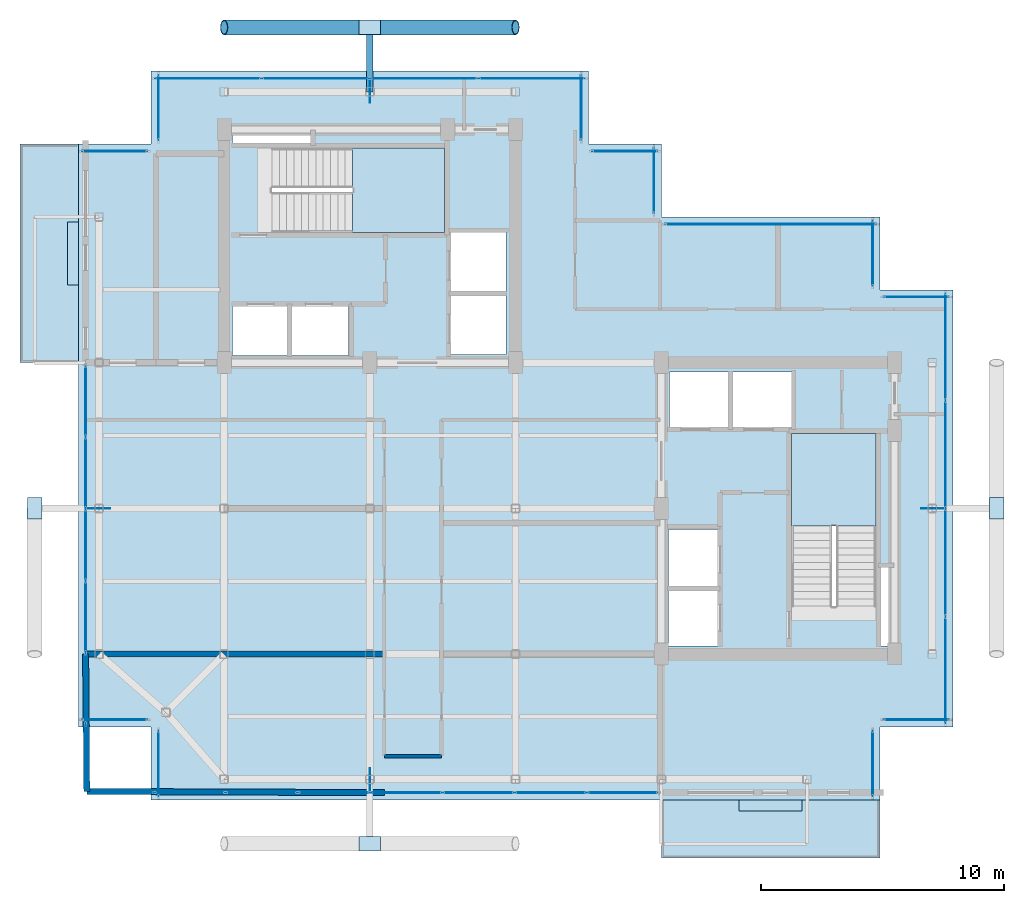
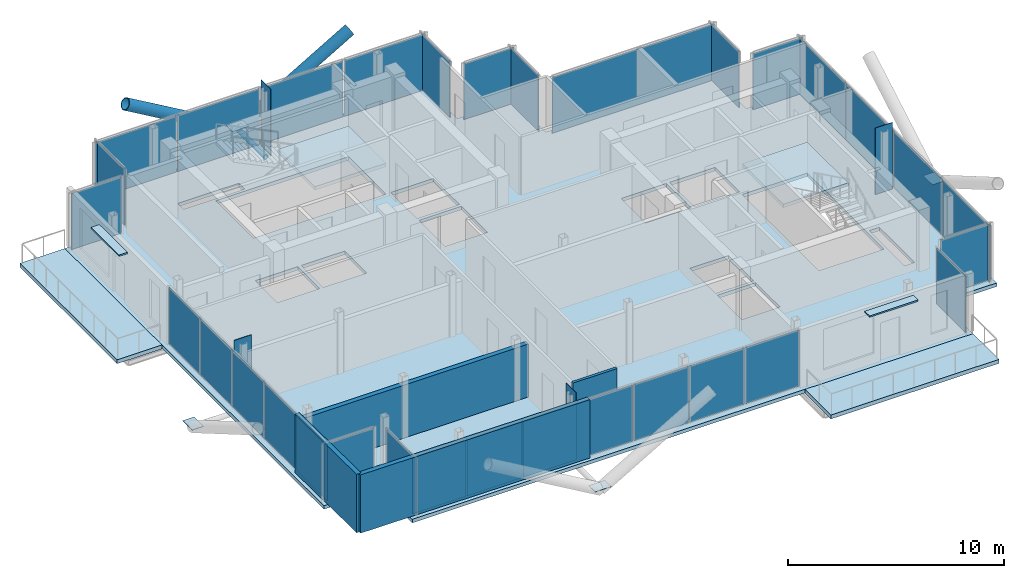
# One storey, part 13 of 18: 42 plates, 5 slabs, 4 walls, 3 members, 18 elements without a shape of their own.
"""IFC4 building model written with IfcOpenShell, lengths in metres."""

from ifc_helpers import new_model, si_unit, direction, frame, frame_2d, origin, origin_2d, place, context, subcontext, project, spatial, polyline, rectangle, hollow_circle, outline, extrude, material, layer, layer_set, material_profile, profile_set, type_object, element, aggregate, save


model = new_model("IFC4")

# Units and contexts
model_context = context("Model", 3, precision=1e-05, world=origin(), true_north=direction((0.0, 1.0)))
body_context = subcontext(model_context, "Body", "Model", "MODEL_VIEW")
ifc_project = project(units=[si_unit("LENGTHUNIT", "METRE"), si_unit("AREAUNIT", "SQUARE_METRE"), si_unit("VOLUMEUNIT", "CUBIC_METRE"), si_unit("PLANEANGLEUNIT", "RADIAN"), si_unit("MASSUNIT", "GRAM", prefix="KILO"), si_unit("THERMODYNAMICTEMPERATUREUNIT", "KELVIN"), si_unit("POWERUNIT", "WATT")], contexts=[model_context])

# Site, building, storey
site_placement = place(None, origin())
site = spatial("IfcSite", under=ifc_project, at=site_placement, CompositionType="ELEMENT")
building_placement = place(site_placement, origin())
building = spatial("IfcBuilding", under=site, at=building_placement, Name="Svarakhadi Broadcast Tower", CompositionType="ELEMENT")
storey_placement = place(building_placement, frame((0.0, 0.0, 288.699951171875)))
storey = spatial("IfcBuildingStorey", under=building, at=storey_placement, Name="L73", CompositionType="ELEMENT", Elevation=288.699951171875)

# Members
ifc_material_1 = material(Name="Steel S460ML (IS 2062 E450BR)", Category="steel")
ifc_material_profile_1 = material_profile(ifc_material_1, hollow_circle(Radius=0.304931640625, WallThickness=0.030029296875, at=origin_2d()), Name="CHS 610x30")
ifc_profile_set_1 = profile_set([ifc_material_profile_1], Name="Steel S460ML (IS 2062 E450BR)")
member_type_1 = type_object("IfcMemberType", Name="Exo_Brace_CHS610", PredefinedType="BRACE", material=ifc_profile_set_1)
for number, where, z_axis, x_axis, name in (
    (1, (12.0, 31.800048828125, -0.33642578125), (-0.863778900898, 0.0, 0.503871025524), (0.0, -1.0, 0.0), "L73 Exposed Bronze Exoskeleton Diagonal N06"),
    (2, (12.0, 31.800048828125, -0.33642578125), (0.863778900898, 0.0, 0.503871025524), (0.0, 1.0, 0.0), "L73 Exposed Bronze Exoskeleton Diagonal N07"),
):
    element("IfcMember", number, at=place(storey_placement, frame(where, z_axis=z_axis, x_axis=x_axis)), inside=storey, type_object=member_type_1, Name=name, PredefinedType="BRACE", context=body_context, shape_type="SweptSolid", body=[
        extrude(hollow_circle(Radius=0.304931640625, WallThickness=0.030029296875, at=origin_2d()), origin(), (0.0, 0.0, 1.0), 6.9462890625),
    ])
ifc_material_profile_2 = material_profile(ifc_material_1, hollow_circle(Radius=0.136474609375, WallThickness=0.012451171875, at=origin_2d()), Name="CHS 273x12.5")
ifc_profile_set_2 = profile_set([ifc_material_profile_2], Name="Steel S460ML (IS 2062 E450BR)")
member_type_2 = type_object("IfcMemberType", Name="Exo_Radial_Strut_Z3", PredefinedType="STRUT", material=ifc_profile_set_2)
member_placement = place(storey_placement, frame((12.0, 31.800048828125, -0.33642578125), z_axis=(0.0, -1.0, 0.0), x_axis=(1.0, 0.0, 0.0)))
element("IfcMember", 3, at=member_placement, inside=storey, type_object=member_type_2, Name="L73 Exoskeleton Radial Tie Strut N04", PredefinedType="STRUT", context=body_context, shape_type="SweptSolid", body=[
    extrude(hollow_circle(Radius=0.136474609375, WallThickness=0.012451171875, at=origin_2d()), origin(), (0.0, 0.0, 1.0), 2.650146484375),
])

# Curtain wall, plate
ifc_material_2 = material(Name="Anodised Bronze Aluminium AA 6063-T6", Category="aluminium")
ifc_layer_1 = layer(ifc_material_2, 0.179931640625)
ifc_layer_set_1 = layer_set([ifc_layer_1], Name="Anodised Bronze Aluminium AA 6063-T6")
curtain_wall_type = type_object("IfcCurtainWallType", Name="CW_Sys_05", PredefinedType="NOTDEFINED", material=ifc_layer_set_1)
curtain_wall_1_placement = place(storey_placement, origin())
curtain_wall_1 = element("IfcCurtainWall", 4, at=curtain_wall_1_placement, inside=storey, type_object=curtain_wall_type, Name="L73 Unitised Facade Curtain Wall 01", PredefinedType="NOTDEFINED")
ifc_material_3 = material(Name="Double Low-E Laminated Acoustic Glass IGU 36 mm", Category="glass")
ifc_layer_2 = layer(ifc_material_3, 0.033935546875)
ifc_layer_set_2 = layer_set([ifc_layer_2], Name="Double Low-E Laminated Acoustic Glass IGU 36 mm")
plate_type_1 = type_object("IfcPlateType", Name="CW_Sys_05_Pnl", PredefinedType="CURTAIN_PANEL", material=ifc_layer_set_2)
plate_1_placement = place(storey_placement, frame((1.5, 3.300048828125, 0.065185546875), z_axis=(0.0, 0.0, 1.0), x_axis=(-1.0, 0.0, 0.0)))
plate_1 = element("IfcPlate", 5, at=plate_1_placement, type_object=plate_type_1, Name="CW-05 panel 1.1", PredefinedType="CURTAIN_PANEL", context=body_context, shape_type="SweptSolid", body=[
    extrude(rectangle(XDim=2.679931640625, YDim=0.033935546875, at=origin_2d()), origin(), (0.0, 0.0, 1.0), 3.169921875),
])
aggregate(curtain_wall_1, [plate_1])

# Curtain wall, plates
curtain_wall_2_placement = place(storey_placement, origin())
curtain_wall_2 = element("IfcCurtainWall", 6, at=curtain_wall_2_placement, inside=storey, type_object=curtain_wall_type, Name="L73 West Curtain Wall 02", PredefinedType="NOTDEFINED")
plate_2_placement = place(storey_placement, frame((0.300048828125, 4.589599609375, 0.065185546875), z_axis=(0.0, 0.0, 1.0), x_axis=(0.0, 1.0, 0.0)))
plate_2 = element("IfcPlate", 7, at=plate_2_placement, type_object=plate_type_1, Name="CW-05 panel 1.1", PredefinedType="CURTAIN_PANEL", context=body_context, shape_type="SweptSolid", body=[
    extrude(rectangle(XDim=2.85888671875, YDim=0.033935546875, at=origin_2d()), origin(), (0.0, 0.0, 1.0), 3.169921875),
])
plate_3_placement = place(storey_placement, frame((0.300048828125, 7.535888671875, 0.065185546875), z_axis=(0.0, 0.0, 1.0), x_axis=(0.0, 1.0, 0.0)))
plate_3 = element("IfcPlate", 8, at=plate_3_placement, type_object=plate_type_1, Name="CW-05 panel 2.1", PredefinedType="CURTAIN_PANEL", context=body_context, shape_type="SweptSolid", body=[
    extrude(rectangle(XDim=2.89404296875, YDim=0.033935546875, at=origin_2d()), origin(), (0.0, 0.0, 1.0), 3.169921875),
])
plate_4_placement = place(storey_placement, frame((0.300048828125, 10.5, 0.065185546875), z_axis=(0.0, 0.0, 1.0), x_axis=(0.0, 1.0, 0.0)))
plate_4 = element("IfcPlate", 9, at=plate_4_placement, type_object=plate_type_1, Name="CW-05 panel 3.1", PredefinedType="CURTAIN_PANEL", context=body_context, shape_type="SweptSolid", body=[
    extrude(rectangle(XDim=2.89404296875, YDim=0.033935546875, at=origin_2d()), origin(), (0.0, 0.0, 1.0), 3.169921875),
])
plate_5_placement = place(storey_placement, frame((0.300048828125, 13.464111328125, 0.065185546875), z_axis=(0.0, 0.0, 1.0), x_axis=(0.0, 1.0, 0.0)))
plate_5 = element("IfcPlate", 10, at=plate_5_placement, type_object=plate_type_1, Name="CW-05 panel 4.1", PredefinedType="CURTAIN_PANEL", context=body_context, shape_type="SweptSolid", body=[
    extrude(rectangle(XDim=2.89404296875, YDim=0.033935546875, at=origin_2d()), origin(), (0.0, 0.0, 1.0), 3.169921875),
])
plate_6_placement = place(storey_placement, frame((0.300048828125, 16.410400390625, 0.065185546875), z_axis=(0.0, 0.0, 1.0), x_axis=(0.0, 1.0, 0.0)))
plate_6 = element("IfcPlate", 11, at=plate_6_placement, type_object=plate_type_1, Name="CW-05 panel 5.1", PredefinedType="CURTAIN_PANEL", context=body_context, shape_type="SweptSolid", body=[
    extrude(rectangle(XDim=2.85888671875, YDim=0.033935546875, at=origin_2d()), origin(), (0.0, 0.0, 1.0), 3.169921875),
])
aggregate(curtain_wall_2, [plate_2, plate_3, plate_4, plate_5, plate_6])

# Curtain wall, plate
curtain_wall_3_placement = place(storey_placement, origin())
curtain_wall_3 = element("IfcCurtainWall", 12, at=curtain_wall_3_placement, inside=storey, type_object=curtain_wall_type, Name="L73 Unitised Facade Curtain Wall 03", PredefinedType="NOTDEFINED")
plate_7_placement = place(storey_placement, frame((1.5, 26.699951171875, 0.065185546875), z_axis=(0.0, 0.0, 1.0), x_axis=(1.0, 0.0, 0.0)))
plate_7 = element("IfcPlate", 13, at=plate_7_placement, type_object=plate_type_1, Name="CW-05 panel 1.1", PredefinedType="CURTAIN_PANEL", context=body_context, shape_type="SweptSolid", body=[
    extrude(rectangle(XDim=2.679931640625, YDim=0.033935546875, at=origin_2d()), origin(), (0.0, 0.0, 1.0), 3.169921875),
])
aggregate(curtain_wall_3, [plate_7])

curtain_wall_4_placement = place(storey_placement, origin())
curtain_wall_4 = element("IfcCurtainWall", 14, at=curtain_wall_4_placement, inside=storey, type_object=curtain_wall_type, Name="L73 Unitised Facade Curtain Wall 04", PredefinedType="NOTDEFINED")
plate_8_placement = place(storey_placement, frame((3.300048828125, 28.5, 0.065185546875), z_axis=(0.0, 0.0, 1.0), x_axis=(0.0, 1.0, 0.0)))
plate_8 = element("IfcPlate", 15, at=plate_8_placement, type_object=plate_type_1, Name="CW-05 panel 1.1", PredefinedType="CURTAIN_PANEL", context=body_context, shape_type="SweptSolid", body=[
    extrude(rectangle(XDim=2.679931640625, YDim=0.033935546875, at=origin_2d()), origin(), (0.0, 0.0, 1.0), 3.169921875),
])
aggregate(curtain_wall_4, [plate_8])

# Curtain wall, plates
curtain_wall_5_placement = place(storey_placement, origin())
curtain_wall_5 = element("IfcCurtainWall", 16, at=curtain_wall_5_placement, inside=storey, type_object=curtain_wall_type, Name="L73 Unitised Facade Curtain Wall 05", PredefinedType="NOTDEFINED")
plate_9_placement = place(storey_placement, frame((5.3349609375, 29.699951171875, 0.065185546875), z_axis=(0.0, 0.0, 1.0), x_axis=(1.0, 0.0, 0.0)))
plate_9 = element("IfcPlate", 17, at=plate_9_placement, type_object=plate_type_1, Name="CW-05 panel 1.1", PredefinedType="CURTAIN_PANEL", context=body_context, shape_type="SweptSolid", body=[
    extrude(rectangle(XDim=4.35009765625, YDim=0.033935546875, at=origin_2d()), origin(), (0.0, 0.0, 1.0), 3.169921875),
])
plate_10_placement = place(storey_placement, frame((9.7724609375, 29.699951171875, 0.065185546875), z_axis=(0.0, 0.0, 1.0), x_axis=(1.0, 0.0, 0.0)))
plate_10 = element("IfcPlate", 18, at=plate_10_placement, type_object=plate_type_1, Name="CW-05 panel 2.1", PredefinedType="CURTAIN_PANEL", context=body_context, shape_type="SweptSolid", body=[
    extrude(rectangle(XDim=4.385009765625, YDim=0.033935546875, at=origin_2d()), origin(), (0.0, 0.0, 1.0), 3.169921875),
])
plate_11_placement = place(storey_placement, frame((14.2275390625, 29.699951171875, 0.065185546875), z_axis=(0.0, 0.0, 1.0), x_axis=(1.0, 0.0, 0.0)))
plate_11 = element("IfcPlate", 19, at=plate_11_placement, type_object=plate_type_1, Name="CW-05 panel 3.1", PredefinedType="CURTAIN_PANEL", context=body_context, shape_type="SweptSolid", body=[
    extrude(rectangle(XDim=4.385009765625, YDim=0.033935546875, at=origin_2d()), origin(), (0.0, 0.0, 1.0), 3.169921875),
])
plate_12_placement = place(storey_placement, frame((18.6650390625, 29.699951171875, 0.065185546875), z_axis=(0.0, 0.0, 1.0), x_axis=(1.0, 0.0, 0.0)))
plate_12 = element("IfcPlate", 20, at=plate_12_placement, type_object=plate_type_1, Name="CW-05 panel 4.1", PredefinedType="CURTAIN_PANEL", context=body_context, shape_type="SweptSolid", body=[
    extrude(rectangle(XDim=4.35009765625, YDim=0.033935546875, at=origin_2d()), origin(), (0.0, 0.0, 1.0), 3.169921875),
])
aggregate(curtain_wall_5, [plate_9, plate_10, plate_11, plate_12])

# Curtain wall, plate
curtain_wall_6_placement = place(storey_placement, origin())
curtain_wall_6 = element("IfcCurtainWall", 21, at=curtain_wall_6_placement, inside=storey, type_object=curtain_wall_type, Name="L73 Unitised Facade Curtain Wall 06", PredefinedType="NOTDEFINED")
plate_13_placement = place(storey_placement, frame((20.699951171875, 28.5, 0.065185546875), z_axis=(0.0, 0.0, 1.0), x_axis=(0.0, -1.0, 0.0)))
plate_13 = element("IfcPlate", 22, at=plate_13_placement, type_object=plate_type_1, Name="CW-05 panel 1.1", PredefinedType="CURTAIN_PANEL", context=body_context, shape_type="SweptSolid", body=[
    extrude(rectangle(XDim=2.679931640625, YDim=0.033935546875, at=origin_2d()), origin(), (0.0, 0.0, 1.0), 3.169921875),
])
aggregate(curtain_wall_6, [plate_13])

curtain_wall_7_placement = place(storey_placement, origin())
curtain_wall_7 = element("IfcCurtainWall", 23, at=curtain_wall_7_placement, inside=storey, type_object=curtain_wall_type, Name="L73 Unitised Facade Curtain Wall 07", PredefinedType="NOTDEFINED")
plate_14_placement = place(storey_placement, frame((22.5, 26.699951171875, 0.065185546875), z_axis=(0.0, 0.0, 1.0), x_axis=(1.0, 0.0, 0.0)))
plate_14 = element("IfcPlate", 24, at=plate_14_placement, type_object=plate_type_1, Name="CW-05 panel 1.1", PredefinedType="CURTAIN_PANEL", context=body_context, shape_type="SweptSolid", body=[
    extrude(rectangle(XDim=2.679931640625, YDim=0.033935546875, at=origin_2d()), origin(), (0.0, 0.0, 1.0), 3.169921875),
])
aggregate(curtain_wall_7, [plate_14])

curtain_wall_8_placement = place(storey_placement, origin())
curtain_wall_8 = element("IfcCurtainWall", 25, at=curtain_wall_8_placement, inside=storey, type_object=curtain_wall_type, Name="L73 Unitised Facade Curtain Wall 08", PredefinedType="NOTDEFINED")
plate_15_placement = place(storey_placement, frame((23.699951171875, 25.5, 0.065185546875), z_axis=(0.0, 0.0, 1.0), x_axis=(0.0, -1.0, 0.0)))
plate_15 = element("IfcPlate", 26, at=plate_15_placement, type_object=plate_type_1, Name="CW-05 panel 1.1", PredefinedType="CURTAIN_PANEL", context=body_context, shape_type="SweptSolid", body=[
    extrude(rectangle(XDim=2.679931640625, YDim=0.033935546875, at=origin_2d()), origin(), (0.0, 0.0, 1.0), 3.169921875),
])
aggregate(curtain_wall_8, [plate_15])

curtain_wall_9_placement = place(storey_placement, origin())
curtain_wall_9 = element("IfcCurtainWall", 27, at=curtain_wall_9_placement, inside=storey, type_object=curtain_wall_type, Name="L73 Unitised Facade Curtain Wall 09", PredefinedType="NOTDEFINED")
plate_16_placement = place(storey_placement, frame((28.5, 23.699951171875, 0.065185546875), z_axis=(0.0, 0.0, 1.0), x_axis=(1.0, 0.0, 0.0)))
plate_16 = element("IfcPlate", 28, at=plate_16_placement, type_object=plate_type_1, Name="CW-05 panel 1.1", PredefinedType="CURTAIN_PANEL", context=body_context, shape_type="SweptSolid", body=[
    extrude(rectangle(XDim=8.679931640625, YDim=0.033935546875, at=origin_2d()), origin(), (0.0, 0.0, 1.0), 3.169921875),
])
aggregate(curtain_wall_9, [plate_16])

curtain_wall_10_placement = place(storey_placement, origin())
curtain_wall_10 = element("IfcCurtainWall", 29, at=curtain_wall_10_placement, inside=storey, type_object=curtain_wall_type, Name="L73 Unitised Facade Curtain Wall 10", PredefinedType="NOTDEFINED")
plate_17_placement = place(storey_placement, frame((32.699951171875, 22.5, 0.065185546875), z_axis=(0.0, 0.0, 1.0), x_axis=(0.0, -1.0, 0.0)))
plate_17 = element("IfcPlate", 30, at=plate_17_placement, type_object=plate_type_1, Name="CW-05 panel 1.1", PredefinedType="CURTAIN_PANEL", context=body_context, shape_type="SweptSolid", body=[
    extrude(rectangle(XDim=2.679931640625, YDim=0.033935546875, at=origin_2d()), origin(), (0.0, 0.0, 1.0), 3.169921875),
])
aggregate(curtain_wall_10, [plate_17])

curtain_wall_11_placement = place(storey_placement, origin())
curtain_wall_11 = element("IfcCurtainWall", 31, at=curtain_wall_11_placement, inside=storey, type_object=curtain_wall_type, Name="L73 Unitised Facade Curtain Wall 11", PredefinedType="NOTDEFINED")
plate_18_placement = place(storey_placement, frame((34.5, 20.699951171875, 0.065185546875), z_axis=(0.0, 0.0, 1.0), x_axis=(1.0, 0.0, 0.0)))
plate_18 = element("IfcPlate", 32, at=plate_18_placement, type_object=plate_type_1, Name="CW-05 panel 1.1", PredefinedType="CURTAIN_PANEL", context=body_context, shape_type="SweptSolid", body=[
    extrude(rectangle(XDim=2.679931640625, YDim=0.033935546875, at=origin_2d()), origin(), (0.0, 0.0, 1.0), 3.169921875),
])
aggregate(curtain_wall_11, [plate_18])

# Curtain wall, plates
curtain_wall_12_placement = place(storey_placement, origin())
curtain_wall_12 = element("IfcCurtainWall", 33, at=curtain_wall_12_placement, inside=storey, type_object=curtain_wall_type, Name="L73 Unitised Facade Curtain Wall 12", PredefinedType="NOTDEFINED")
plate_19_placement = place(storey_placement, frame((35.699951171875, 18.6650390625, 0.065185546875), z_axis=(0.0, 0.0, 1.0), x_axis=(0.0, -1.0, 0.0)))
plate_19 = element("IfcPlate", 34, at=plate_19_placement, type_object=plate_type_1, Name="CW-05 panel 1.1", PredefinedType="CURTAIN_PANEL", context=body_context, shape_type="SweptSolid", body=[
    extrude(rectangle(XDim=4.35009765625, YDim=0.033935546875, at=origin_2d()), origin(), (0.0, 0.0, 1.0), 3.169921875),
])
plate_20_placement = place(storey_placement, frame((35.699951171875, 14.2275390625, 0.065185546875), z_axis=(0.0, 0.0, 1.0), x_axis=(0.0, -1.0, 0.0)))
plate_20 = element("IfcPlate", 35, at=plate_20_placement, type_object=plate_type_1, Name="CW-05 panel 2.1", PredefinedType="CURTAIN_PANEL", context=body_context, shape_type="SweptSolid", body=[
    extrude(rectangle(XDim=4.385009765625, YDim=0.033935546875, at=origin_2d()), origin(), (0.0, 0.0, 1.0), 3.169921875),
])
plate_21_placement = place(storey_placement, frame((35.699951171875, 9.7724609375, 0.065185546875), z_axis=(0.0, 0.0, 1.0), x_axis=(0.0, -1.0, 0.0)))
plate_21 = element("IfcPlate", 36, at=plate_21_placement, type_object=plate_type_1, Name="CW-05 panel 3.1", PredefinedType="CURTAIN_PANEL", context=body_context, shape_type="SweptSolid", body=[
    extrude(rectangle(XDim=4.385009765625, YDim=0.033935546875, at=origin_2d()), origin(), (0.0, 0.0, 1.0), 3.169921875),
])
plate_22_placement = place(storey_placement, frame((35.699951171875, 5.3349609375, 0.065185546875), z_axis=(0.0, 0.0, 1.0), x_axis=(0.0, -1.0, 0.0)))
plate_22 = element("IfcPlate", 37, at=plate_22_placement, type_object=plate_type_1, Name="CW-05 panel 4.1", PredefinedType="CURTAIN_PANEL", context=body_context, shape_type="SweptSolid", body=[
    extrude(rectangle(XDim=4.35009765625, YDim=0.033935546875, at=origin_2d()), origin(), (0.0, 0.0, 1.0), 3.169921875),
])
aggregate(curtain_wall_12, [plate_19, plate_20, plate_21, plate_22])

# Curtain wall, plate
curtain_wall_13_placement = place(storey_placement, origin())
curtain_wall_13 = element("IfcCurtainWall", 38, at=curtain_wall_13_placement, inside=storey, type_object=curtain_wall_type, Name="L73 Unitised Facade Curtain Wall 13", PredefinedType="NOTDEFINED")
plate_23_placement = place(storey_placement, frame((34.5, 3.300048828125, 0.065185546875), z_axis=(0.0, 0.0, 1.0), x_axis=(-1.0, 0.0, 0.0)))
plate_23 = element("IfcPlate", 39, at=plate_23_placement, type_object=plate_type_1, Name="CW-05 panel 1.1", PredefinedType="CURTAIN_PANEL", context=body_context, shape_type="SweptSolid", body=[
    extrude(rectangle(XDim=2.679931640625, YDim=0.033935546875, at=origin_2d()), origin(), (0.0, 0.0, 1.0), 3.169921875),
])
aggregate(curtain_wall_13, [plate_23])

curtain_wall_14_placement = place(storey_placement, origin())
curtain_wall_14 = element("IfcCurtainWall", 40, at=curtain_wall_14_placement, inside=storey, type_object=curtain_wall_type, Name="L73 Unitised Facade Curtain Wall 14", PredefinedType="NOTDEFINED")
plate_24_placement = place(storey_placement, frame((32.699951171875, 1.5, 0.065185546875), z_axis=(0.0, 0.0, 1.0), x_axis=(0.0, -1.0, 0.0)))
plate_24 = element("IfcPlate", 41, at=plate_24_placement, type_object=plate_type_1, Name="CW-05 panel 1.1", PredefinedType="CURTAIN_PANEL", context=body_context, shape_type="SweptSolid", body=[
    extrude(rectangle(XDim=2.679931640625, YDim=0.033935546875, at=origin_2d()), origin(), (0.0, 0.0, 1.0), 3.169921875),
])
aggregate(curtain_wall_14, [plate_24])

# Curtain wall, plates
curtain_wall_15_placement = place(storey_placement, origin())
curtain_wall_15 = element("IfcCurtainWall", 42, at=curtain_wall_15_placement, inside=storey, type_object=curtain_wall_type, Name="L73 South Curtain Wall 15", PredefinedType="NOTDEFINED")
plate_25_placement = place(storey_placement, frame((22.4052734375, 0.300048828125, 0.065185546875), z_axis=(0.0, 0.0, 1.0), x_axis=(-1.0, 0.0, 0.0)))
plate_25 = element("IfcPlate", 43, at=plate_25_placement, type_object=plate_type_1, Name="CW-05 panel 1.1", PredefinedType="CURTAIN_PANEL", context=body_context, shape_type="SweptSolid", body=[
    extrude(rectangle(XDim=2.869384765625, YDim=0.033935546875, at=origin_2d()), origin(), (0.0, 0.0, 1.0), 3.169921875),
])
plate_26_placement = place(storey_placement, frame((19.448486328125, 0.300048828125, 0.065185546875), z_axis=(0.0, 0.0, 1.0), x_axis=(-1.0, 0.0, 0.0)))
plate_26 = element("IfcPlate", 44, at=plate_26_placement, type_object=plate_type_1, Name="CW-05 panel 2.1", PredefinedType="CURTAIN_PANEL", context=body_context, shape_type="SweptSolid", body=[
    extrude(rectangle(XDim=2.904296875, YDim=0.033935546875, at=origin_2d()), origin(), (0.0, 0.0, 1.0), 3.169921875),
])
plate_27_placement = place(storey_placement, frame((16.474365234375, 0.300048828125, 0.065185546875), z_axis=(0.0, 0.0, 1.0), x_axis=(-1.0, 0.0, 0.0)))
plate_27 = element("IfcPlate", 45, at=plate_27_placement, type_object=plate_type_1, Name="CW-05 panel 3.1", PredefinedType="CURTAIN_PANEL", context=body_context, shape_type="SweptSolid", body=[
    extrude(rectangle(XDim=2.904296875, YDim=0.033935546875, at=origin_2d()), origin(), (0.0, 0.0, 1.0), 3.169921875),
])
plate_28_placement = place(storey_placement, frame((13.5, 0.300048828125, 0.065185546875), z_axis=(0.0, 0.0, 1.0), x_axis=(-1.0, 0.0, 0.0)))
plate_28 = element("IfcPlate", 46, at=plate_28_placement, type_object=plate_type_1, Name="CW-05 panel 4.1", PredefinedType="CURTAIN_PANEL", context=body_context, shape_type="SweptSolid", body=[
    extrude(rectangle(XDim=2.904296875, YDim=0.033935546875, at=origin_2d()), origin(), (0.0, 0.0, 1.0), 3.169921875),
])
plate_29_placement = place(storey_placement, frame((10.525634765625, 0.300048828125, 0.065185546875), z_axis=(0.0, 0.0, 1.0), x_axis=(-1.0, 0.0, 0.0)))
plate_29 = element("IfcPlate", 47, at=plate_29_placement, type_object=plate_type_1, Name="CW-05 panel 5.1", PredefinedType="CURTAIN_PANEL", context=body_context, shape_type="SweptSolid", body=[
    extrude(rectangle(XDim=2.904296875, YDim=0.033935546875, at=origin_2d()), origin(), (0.0, 0.0, 1.0), 3.169921875),
])
plate_30_placement = place(storey_placement, frame((7.551513671875, 0.300048828125, 0.065185546875), z_axis=(0.0, 0.0, 1.0), x_axis=(-1.0, 0.0, 0.0)))
plate_30 = element("IfcPlate", 48, at=plate_30_placement, type_object=plate_type_1, Name="CW-05 panel 6.1", PredefinedType="CURTAIN_PANEL", context=body_context, shape_type="SweptSolid", body=[
    extrude(rectangle(XDim=2.904296875, YDim=0.033935546875, at=origin_2d()), origin(), (0.0, 0.0, 1.0), 3.169921875),
])
plate_31_placement = place(storey_placement, frame((4.5947265625, 0.300048828125, 0.065185546875), z_axis=(0.0, 0.0, 1.0), x_axis=(-1.0, 0.0, 0.0)))
plate_31 = element("IfcPlate", 49, at=plate_31_placement, type_object=plate_type_1, Name="CW-05 panel 7.1", PredefinedType="CURTAIN_PANEL", context=body_context, shape_type="SweptSolid", body=[
    extrude(rectangle(XDim=2.869384765625, YDim=0.033935546875, at=origin_2d()), origin(), (0.0, 0.0, 1.0), 3.169921875),
])
aggregate(curtain_wall_15, [plate_25, plate_26, plate_27, plate_28, plate_29, plate_30, plate_31])

# Curtain wall, plate
curtain_wall_16_placement = place(storey_placement, origin())
curtain_wall_16 = element("IfcCurtainWall", 50, at=curtain_wall_16_placement, inside=storey, type_object=curtain_wall_type, Name="L73 Unitised Facade Curtain Wall 16", PredefinedType="NOTDEFINED")
plate_32_placement = place(storey_placement, frame((3.300048828125, 1.5, 0.065185546875), z_axis=(0.0, 0.0, 1.0), x_axis=(0.0, 1.0, 0.0)))
plate_32 = element("IfcPlate", 51, at=plate_32_placement, type_object=plate_type_1, Name="CW-05 panel 1.1", PredefinedType="CURTAIN_PANEL", context=body_context, shape_type="SweptSolid", body=[
    extrude(rectangle(XDim=2.679931640625, YDim=0.033935546875, at=origin_2d()), origin(), (0.0, 0.0, 1.0), 3.169921875),
])
aggregate(curtain_wall_16, [plate_32])

# Plates
ifc_layer_3 = layer(ifc_material_1, 0.02490234375)
ifc_layer_set_3 = layer_set([ifc_layer_3], Name="Steel S460ML (IS 2062 E450BR)")
plate_type_2 = type_object("IfcPlateType", Name="Node_Gusset_N05", PredefinedType="SHEET", material=ifc_layer_set_3)
for number, where, z_axis, x_axis, name in (
    (52, (12.0, -1.800048828125, -0.199951171875), (0.0, 0.0, 1.0), (1.0, 0.0, 0.0), "L73 Exoskeleton Gusset Node Plate S01"),
    (53, (-1.800048828125, 12.0, -0.199951171875), (0.0, 0.0, 1.0), (0.0, 1.0, 0.0), "L73 Exoskeleton Gusset Node Plate W02"),
    (54, (37.800048828125, 12.0, -0.199951171875), (0.0, 0.0, 1.0), (0.0, 1.0, 0.0), "L73 Exoskeleton Gusset Node Plate E03"),
    (55, (12.0, 31.800048828125, -0.199951171875), (0.0, 0.0, 1.0), (1.0, 0.0, 0.0), "L73 Exoskeleton Gusset Node Plate N04"),
):
    element("IfcPlate", number, at=place(storey_placement, frame(where, z_axis=z_axis, x_axis=x_axis)), inside=storey, type_object=plate_type_2, Name=name, PredefinedType="SHEET", context=body_context, shape_type="SweptSolid", body=[
        extrude(rectangle(XDim=0.8798828125, YDim=0.60009765625, at=origin_2d()), origin(), (0.0, 0.0, 1.0), 0.02490234375),
    ])
ifc_layer_4 = layer(ifc_material_1, 0.02587890625)
ifc_layer_set_4 = layer_set([ifc_layer_4], Name="Steel S460ML (IS 2062 E450BR)")
plate_type_3 = type_object("IfcPlateType", Name="Node_Gusset_N07", PredefinedType="SHEET", material=ifc_layer_set_4)
for number, where, z_axis, x_axis, name in (
    (56, (12.0, 0.85009765625, -0.53662109375), (0.0, 0.0, 1.0), (0.0, 1.0, 0.0), "L73 Brace End Connection Gusset Plate N-07-E0566"),
    (57, (0.85009765625, 12.0, -0.53662109375), (0.0, 0.0, 1.0), (1.0, 0.0, 0.0), "L73 Brace End Connection Gusset Plate N-07-E0567"),
    (58, (35.14990234375, 12.0, -0.53662109375), (0.0, 0.0, 1.0), (1.0, 0.0, 0.0), "L73 Brace End Connection Gusset Plate N-07-E0568"),
    (59, (12.0, 29.14990234375, -0.53662109375), (0.0, 0.0, 1.0), (0.0, 1.0, 0.0), "L73 Brace End Connection Gusset Plate N-07-E0569"),
):
    element("IfcPlate", number, at=place(storey_placement, frame(where, z_axis=z_axis, x_axis=x_axis)), inside=storey, type_object=plate_type_3, Name=name, PredefinedType="SHEET", context=body_context, shape_type="SweptSolid", body=[
        extrude(rectangle(XDim=0.919921875, YDim=0.02587890625, at=origin_2d()), origin(), (0.0, 0.0, 1.0), 4.300048828125),
    ])

# Slab
ifc_material_4 = material(Name="Concrete C40/50 (IS 456 M50)", Category="concrete")
ifc_layer_5 = layer(ifc_material_4, 0.199951171875)
ifc_layer_set_5 = layer_set([ifc_layer_5], Name="Concrete C40/50 (IS 456 M50)")
slab_type_1 = type_object("IfcSlabType", Name="Slab_Floor_200", PredefinedType="FLOOR", material=ifc_layer_set_5)
slab_1_placement = place(storey_placement, frame((0.0, 0.0, -0.199951171875)))
element("IfcSlab", 60, at=slab_1_placement, inside=storey, type_object=slab_type_1, Name="L73 Structural Floor Slab", PredefinedType="FLOOR", context=body_context, shape_type="SweptSolid", body=[
    extrude(outline(polyline([(3.0, 0.0), (33.0, 0.0), (33.0, 3.0), (36.0, 3.0), (36.0, 21.0), (33.0, 21.0), (33.0, 24.0), (24.0, 24.0), (24.0, 27.0), (21.0, 27.0), (21.0, 30.0), (3.0, 30.0), (3.0, 27.0), (0.0, 27.0), (0.0, 3.0), (3.0, 3.0), (3.0, 0.0)]), holes=[polyline([(7.97998046875, 23.360107421875), (15.080078125, 23.360107421875), (15.080078125, 26.840087890625), (7.97998046875, 26.840087890625), (7.97998046875, 23.360107421875)]), polyline([(32.840087890625, 7.97998046875), (32.840087890625, 15.080078125), (29.360107421875, 15.080078125), (29.360107421875, 7.97998046875), (32.840087890625, 7.97998046875)]), polyline([(6.340087890625, 18.2900390625), (8.610107421875, 18.2900390625), (8.610107421875, 20.330078125), (6.340087890625, 20.330078125), (6.340087890625, 18.2900390625)]), polyline([(8.7900390625, 18.2900390625), (11.1298828125, 18.2900390625), (11.1298828125, 20.330078125), (8.7900390625, 20.330078125), (8.7900390625, 18.2900390625)]), polyline([(24.2900390625, 6.340087890625), (26.330078125, 6.340087890625), (26.330078125, 8.610107421875), (24.2900390625, 8.610107421875), (24.2900390625, 6.340087890625)]), polyline([(24.2900390625, 8.7900390625), (26.330078125, 8.7900390625), (26.330078125, 11.1298828125), (24.2900390625, 11.1298828125), (24.2900390625, 8.7900390625)]), polyline([(6.340087890625, 26.989990234375), (9.610107421875, 26.989990234375), (9.610107421875, 27.530029296875), (6.340087890625, 27.530029296875), (6.340087890625, 26.989990234375)]), polyline([(32.989990234375, 6.340087890625), (33.530029296875, 6.340087890625), (33.530029296875, 9.610107421875), (32.989990234375, 9.610107421875), (32.989990234375, 6.340087890625)]), polyline([(15.340087890625, 18.340087890625), (17.610107421875, 18.340087890625), (17.610107421875, 20.760009765625), (15.340087890625, 20.760009765625), (15.340087890625, 18.340087890625)]), polyline([(15.340087890625, 20.93994140625), (17.610107421875, 20.93994140625), (17.610107421875, 23.360107421875), (15.340087890625, 23.360107421875), (15.340087890625, 20.93994140625)]), polyline([(24.340087890625, 15.340087890625), (26.760009765625, 15.340087890625), (26.760009765625, 17.610107421875), (24.340087890625, 17.610107421875), (24.340087890625, 15.340087890625)]), polyline([(26.93994140625, 15.340087890625), (29.360107421875, 15.340087890625), (29.360107421875, 17.610107421875), (26.93994140625, 17.610107421875), (26.93994140625, 15.340087890625)])]), origin(), (0.0, 0.0, 1.0), 0.199951171875),
])

# Stair, slab
stair_type = type_object("IfcStairType", Name="Stair_Exit_Core", PredefinedType="HALF_TURN_STAIR", material=ifc_material_4)
stair_1_placement = place(storey_placement, origin())
stair_1 = element("IfcStair", 61, at=stair_1_placement, inside=storey, type_object=stair_type, Name="L73 West Core Protected Exit Stair ST-01", PredefinedType="HALF_TURN_STAIR")
ifc_layer_6 = layer(ifc_material_4, 0.199951171875)
ifc_layer_set_6 = layer_set([ifc_layer_6], Name="Concrete C40/50 (IS 456 M50)")
slab_type_2 = type_object("IfcSlabType", Name="Slab_Stair_Land", PredefinedType="LANDING", material=ifc_layer_set_6)
slab_2_placement = place(storey_placement, frame((0.0, 0.0, 1.550048828125)))
slab_2 = element("IfcSlab", 62, at=slab_2_placement, type_object=slab_type_2, Name="ST-01 landing 1", PredefinedType="LANDING", context=body_context, shape_type="SweptSolid", body=[
    extrude(outline(polyline([(11.280029296875, 23.360107421875), (15.080078125, 23.360107421875), (15.080078125, 26.840087890625), (11.280029296875, 26.840087890625), (11.280029296875, 23.360107421875)])), origin(), (0.0, 0.0, 1.0), 0.199951171875),
])
aggregate(stair_1, [slab_2])

stair_2_placement = place(storey_placement, origin())
stair_2 = element("IfcStair", 63, at=stair_2_placement, inside=storey, type_object=stair_type, Name="L73 East Core Protected Exit Stair ST-02", PredefinedType="HALF_TURN_STAIR")
slab_3_placement = place(storey_placement, frame((0.0, 0.0, 1.550048828125)))
slab_3 = element("IfcSlab", 64, at=slab_3_placement, type_object=slab_type_2, Name="ST-02 landing 1", PredefinedType="LANDING", context=body_context, shape_type="SweptSolid", body=[
    extrude(outline(polyline([(32.840087890625, 11.280029296875), (32.840087890625, 15.080078125), (29.360107421875, 15.080078125), (29.360107421875, 11.280029296875), (32.840087890625, 11.280029296875)])), origin(), (0.0, 0.0, 1.0), 0.199951171875),
])
aggregate(stair_2, [slab_3])

# Slabs
ifc_layer_7 = layer(ifc_material_4, 0.22509765625)
ifc_layer_set_7 = layer_set([ifc_layer_7], Name="Concrete C40/50 (IS 456 M50)")
slab_type_3 = type_object("IfcSlabType", Name="Slab_TreeBalcony", PredefinedType="FLOOR", material=ifc_layer_set_7)
slab_4_placement = place(storey_placement, frame((0.0, 0.0, -0.224853515625)))
element("IfcSlab", 65, at=slab_4_placement, inside=storey, type_object=slab_type_3, Name="L73 Planted Tree Balcony Slab BAL-E", PredefinedType="FLOOR", context=body_context, shape_type="SweptSolid", body=[
    extrude(outline(polyline([(24.0, -2.39990234375), (33.0, -2.39990234375), (33.0, 0.0), (24.0, 0.0), (24.0, -2.39990234375)])), origin(), (0.0, 0.0, 1.0), 0.224853515625),
])
slab_5_placement = place(storey_placement, frame((0.0, 0.0, -0.224853515625)))
element("IfcSlab", 66, at=slab_5_placement, inside=storey, type_object=slab_type_3, Name="L73 Planted Tree Balcony Slab BAL-N", PredefinedType="FLOOR", context=body_context, shape_type="SweptSolid", body=[
    extrude(outline(polyline([(-2.39990234375, 18.0), (0.0, 18.0), (0.0, 27.0), (-2.39990234375, 27.0), (-2.39990234375, 18.0)])), origin(), (0.0, 0.0, 1.0), 0.224853515625),
])

# Plates
ifc_layer_8 = layer(ifc_material_2, 0.080078125)
ifc_layer_set_8 = layer_set([ifc_layer_8], Name="Anodised Bronze Aluminium AA 6063-T6")
plate_type_4 = type_object("IfcPlateType", Name="Sunshade_Fin_SS01", PredefinedType="USERDEFINED", material=ifc_layer_set_8)
for number, where, z_axis, x_axis, name in (
    (67, (28.5, -0.22509765625, 3.219970703125), (0.0, 0.0, 1.0), (1.0, 0.0, 0.0), "L73 South Bronze Brise-Soleil Sunshade SS-01"),
    (68, (-0.22509765625, 22.5, 3.219970703125), (0.0, 0.0, 1.0), (0.0, 1.0, 0.0), "L73 West Bronze Brise-Soleil Sunshade SS-01"),
):
    element("IfcPlate", number, at=place(storey_placement, frame(where, z_axis=z_axis, x_axis=x_axis)), inside=storey, type_object=plate_type_4, Name=name, ObjectType="SUNSHADE", PredefinedType="USERDEFINED", context=body_context, shape_type="SweptSolid", body=[
        extrude(rectangle(XDim=2.60009765625, YDim=0.449951171875, at=origin_2d()), origin(), (0.0, 0.0, 1.0), 0.080078125),
    ])

# Walls
ifc_material_5 = material(Name="Double-Stud Acoustic Studio Partition STC-62", Category="gypsum")
ifc_layer_9 = layer(ifc_material_5, 0.25)
ifc_layer_set_9 = layer_set([ifc_layer_9], Name="Double-Stud Acoustic Studio Partition STC-62")
wall_type_1 = type_object("IfcWallType", Name="Wall_Acoust_250", PredefinedType="PARTITIONING", material=ifc_layer_set_9)
wall_1_placement = place(storey_placement, frame((0.35009765625, 0.35009765625, 0.0), z_axis=(0.0, 0.0, 1.0), x_axis=(0.999991653965, -0.004085584524, 0.0)))
element("IfcWall", 69, at=wall_1_placement, inside=storey, type_object=wall_type_1, Name="L73 Chairman Diplomatic Chambers Wall", PredefinedType="PARTITIONING", context=body_context, shape_type="SweptSolid", body=[
    extrude(rectangle(XDim=12.25, YDim=0.25, at=frame_2d((6.125, 0.0))), origin(), (0.0, 0.0, 1.0), 3.300048828125),
])
wall_2_placement = place(storey_placement, frame((0.300048828125, 6.0, 0.0), z_axis=(0.0, 0.0, 1.0), x_axis=(1.0, 0.0, 0.0)))
element("IfcWall", 70, at=wall_2_placement, inside=storey, type_object=wall_type_1, Name="L73 Chairman Diplomatic Chambers Wall", PredefinedType="PARTITIONING", context=body_context, shape_type="SweptSolid", body=[
    extrude(rectangle(XDim=12.300048828125, YDim=0.25, at=frame_2d((6.14990234375, 0.0))), origin(), (0.0, 0.0, 1.0), 2.991943359375),
])
wall_3_placement = place(storey_placement, frame((0.35009765625, 0.35009765625, 0.0), z_axis=(0.0, 0.0, 1.0), x_axis=(-0.00885800524, 0.999960767102, 0.0)))
element("IfcWall", 71, at=wall_3_placement, inside=storey, type_object=wall_type_1, Name="L73 Chairman Diplomatic Chambers Wall", PredefinedType="PARTITIONING", context=body_context, shape_type="SweptSolid", body=[
    extrude(rectangle(XDim=5.650146484375, YDim=0.25, at=frame_2d((2.8251953125, 0.0))), origin(), (0.0, 0.0, 1.0), 3.300048828125),
])
ifc_material_6 = material(Name="Autoclaved Aerated Concrete Blockwork 150 mm", Category="masonry")
ifc_layer_10 = layer(ifc_material_6, 0.14990234375)
ifc_layer_set_10 = layer_set([ifc_layer_10], Name="Autoclaved Aerated Concrete Blockwork 150 mm")
wall_type_2 = type_object("IfcWallType", Name="Wall_Part_150", PredefinedType="PARTITIONING", material=ifc_layer_set_10)
wall_4_placement = place(storey_placement, frame((14.949951171875, 1.800048828125, 0.0), z_axis=(0.0, 0.0, 1.0), x_axis=(-1.0, 0.0, 0.0)))
element("IfcWall", 72, at=wall_4_placement, inside=storey, type_object=wall_type_2, Name="L73 Upper Tower Concourse Wall", PredefinedType="PARTITIONING", context=body_context, shape_type="SweptSolid", body=[
    extrude(rectangle(XDim=2.349853515625, YDim=0.14990234375, at=frame_2d((1.1748046875, 0.0))), origin(), (0.0, 0.0, 1.0), 3.300048828125),
])

save(model, "model.ifc")
